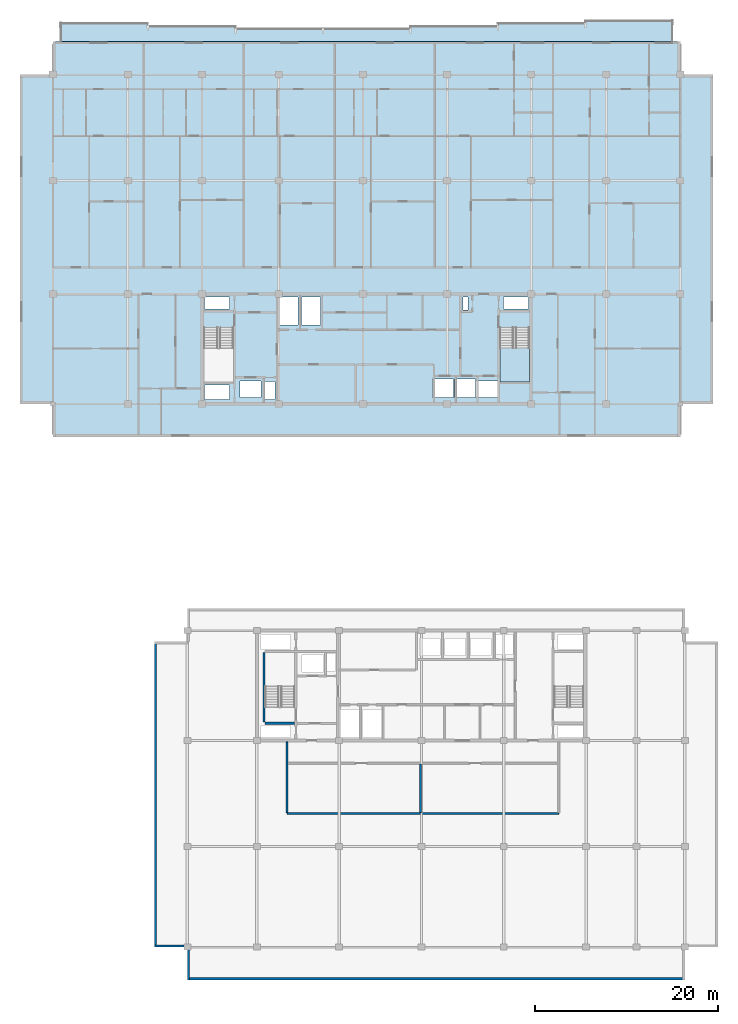
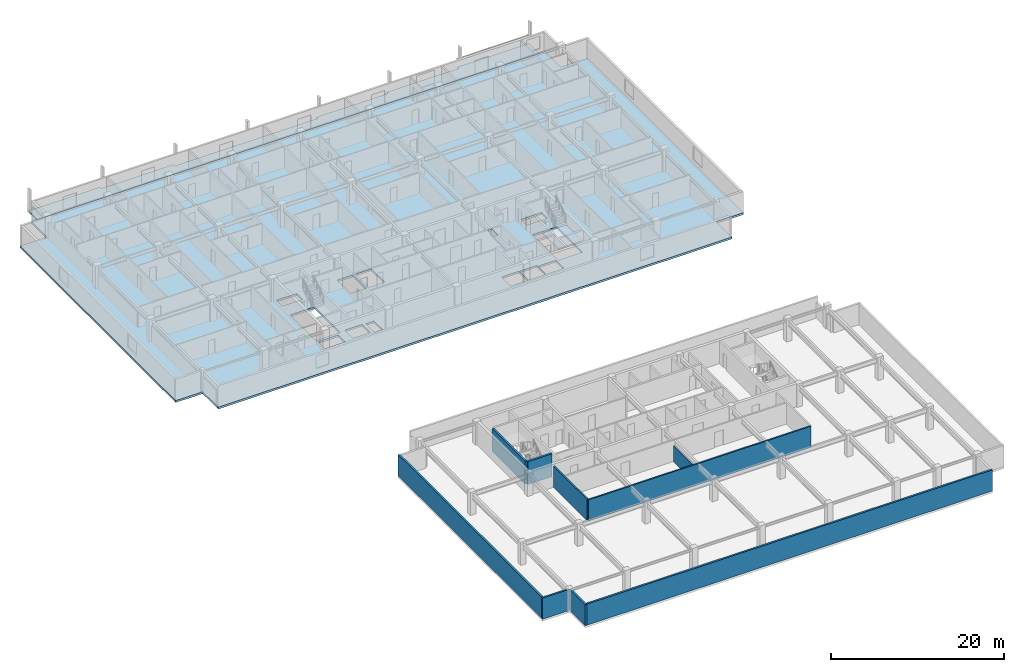
# One storey, part 3 of 17: 9 walls, 3 slabs, 1 element without a shape of its own.
"""IFC4 building model written with IfcOpenShell, lengths in metres."""

from ifc_helpers import new_model, si_unit, direction, frame, frame_2d, origin, place, context, subcontext, project, spatial, polyline, rectangle, outline, extrude, material, layer, layer_set, type_object, element, aggregate, save


model = new_model("IFC4")

# Units and contexts
model_context = context("Model", 3, precision=1e-05, world=origin(), true_north=direction((0.0, 1.0)))
body_context = subcontext(model_context, "Body", "Model", "MODEL_VIEW")
ifc_project = project(units=[si_unit("LENGTHUNIT", "METRE"), si_unit("AREAUNIT", "SQUARE_METRE"), si_unit("VOLUMEUNIT", "CUBIC_METRE"), si_unit("PLANEANGLEUNIT", "RADIAN"), si_unit("MASSUNIT", "GRAM", prefix="KILO")], contexts=[model_context])

# Site, building, storey
site_placement = place(None, origin())
site = spatial("IfcSite", under=ifc_project, at=site_placement, CompositionType="ELEMENT")
building_placement = place(site_placement, origin())
building = spatial("IfcBuilding", under=site, at=building_placement, Name="Korimba Cascade Residences", CompositionType="ELEMENT")
storey_placement = place(building_placement, frame((0.0, 0.0, 204.35009765625)))
storey = spatial("IfcBuildingStorey", under=building, at=storey_placement, Name="L59", CompositionType="ELEMENT", Elevation=204.35009765625)

# Stair, slab
ifc_material_1 = material(Name="Concrete C50/60", Category="concrete")
stair_type = type_object("IfcStairType", Name="STR-W2-18R-1806", PredefinedType="HALF_TURN_STAIR", material=ifc_material_1)
stair_placement = place(storey_placement, origin())
stair = element("IfcStair", 1, at=stair_placement, inside=storey, type_object=stair_type, Name="L59 Tower 1 East Fire Stair ST-W2", PredefinedType="HALF_TURN_STAIR")
ifc_layer_1 = layer(ifc_material_1, 0.199951171875)
ifc_layer_set_1 = layer_set([ifc_layer_1], Name="Concrete C50/60")
slab_type_1 = type_object("IfcSlabType", Name="SLB-LND-220", PredefinedType="LANDING", material=ifc_layer_set_1)
slab_1_placement = place(storey_placement, frame((0.0, 0.0, 1.4248046875)))
slab_1 = element("IfcSlab", 2, at=slab_1_placement, type_object=slab_type_1, Name="ST-W2 landing 1", PredefinedType="LANDING", context=body_context, shape_type="SweptSolid", body=[
    extrude(outline(polyline([(108.659912109375, 61.31005859375), (108.659912109375, 57.60009765625), (111.89990234375, 57.60009765625), (111.89990234375, 61.31005859375), (108.659912109375, 61.31005859375)])), origin(), (0.0, 0.0, 1.0), 0.2001953125),
])
aggregate(stair, [slab_1])

# Slabs
ifc_material_2 = material(Name="Precast concrete C40/50", Category="concrete")
ifc_layer_2 = layer(ifc_material_2, 0.239990234375)
ifc_layer_set_2 = layer_set([ifc_layer_2], Name="Precast concrete C40/50")
slab_type_2 = type_object("IfcSlabType", Name="SLB-LOG-240", PredefinedType="FLOOR", material=ifc_layer_set_2)
slab_2_placement = place(storey_placement, frame((0.0, 0.0, -0.239990234375)))
element("IfcSlab", 3, at=slab_2_placement, inside=storey, type_object=slab_type_2, Name="L59 Tower 1 North Loggia Slab", PredefinedType="FLOOR", context=body_context, shape_type="SweptSolid", body=[
    extrude(outline(polyline([(60.60009765625, 94.800048828125), (127.60009765625, 94.800048828125), (127.60009765625, 97.14990234375), (118.028564453125, 97.14990234375), (118.028564453125, 96.85009765625), (108.45703125, 96.85009765625), (108.45703125, 96.550048828125), (98.8857421875, 96.550048828125), (98.8857421875, 96.25), (79.742919921875, 96.25), (79.742919921875, 96.550048828125), (70.17138671875, 96.550048828125), (70.17138671875, 96.85009765625), (60.60009765625, 96.85009765625), (60.60009765625, 94.800048828125)])), origin(), (0.0, 0.0, 1.0), 0.239990234375),
])
ifc_layer_3 = layer(ifc_material_1, 0.280029296875)
ifc_layer_set_3 = layer_set([ifc_layer_3], Name="Concrete C50/60")
slab_type_3 = type_object("IfcSlabType", Name="SLB-TYP-280", PredefinedType="FLOOR", material=ifc_layer_set_3)
slab_3_placement = place(storey_placement, frame((0.0, 0.0, -0.280029296875)))
element("IfcSlab", 4, at=slab_3_placement, inside=storey, type_object=slab_type_3, Name="L59 Tower 1 Floor Slab", PredefinedType="FLOOR", context=body_context, shape_type="SweptSolid", body=[
    extrude(outline(polyline([(59.800048828125, 51.60009765625), (128.39990234375, 51.60009765625), (128.39990234375, 55.199951171875), (132.0, 55.199951171875), (132.0, 91.199951171875), (128.39990234375, 91.199951171875), (128.39990234375, 94.800048828125), (59.800048828125, 94.800048828125), (59.800048828125, 91.199951171875), (56.199951171875, 91.199951171875), (56.199951171875, 55.199951171875), (59.800048828125, 55.199951171875), (59.800048828125, 51.60009765625)]), holes=[polyline([(76.300048828125, 63.514892578125), (76.300048828125, 57.60009765625), (79.5400390625, 57.60009765625), (79.5400390625, 63.514892578125), (76.300048828125, 63.514892578125)]), polyline([(108.659912109375, 63.514892578125), (108.659912109375, 57.60009765625), (111.89990234375, 57.60009765625), (111.89990234375, 63.514892578125), (108.659912109375, 63.514892578125)]), polyline([(80.22998046875, 55.8798828125), (82.570068359375, 55.8798828125), (82.570068359375, 57.719970703125), (80.22998046875, 57.719970703125), (80.22998046875, 55.8798828125)]), polyline([(106.080078125, 55.8798828125), (108.419921875, 55.8798828125), (108.419921875, 57.719970703125), (106.080078125, 57.719970703125), (106.080078125, 55.8798828125)]), polyline([(101.304931640625, 55.8798828125), (103.594970703125, 55.8798828125), (103.594970703125, 57.919921875), (101.304931640625, 57.919921875), (101.304931640625, 55.8798828125)]), polyline([(103.705078125, 55.8798828125), (105.9951171875, 55.8798828125), (105.9951171875, 57.919921875), (103.705078125, 57.919921875), (103.705078125, 55.8798828125)]), polyline([(82.97998046875, 55.679931640625), (84.080078125, 55.679931640625), (84.080078125, 57.6201171875), (82.97998046875, 57.6201171875), (82.97998046875, 55.679931640625)]), polyline([(76.39990234375, 65.56005859375), (79.10009765625, 65.56005859375), (79.10009765625, 66.8798828125), (76.39990234375, 66.8798828125), (76.39990234375, 65.56005859375)]), polyline([(76.39990234375, 55.679931640625), (79.10009765625, 55.679931640625), (79.10009765625, 57.239990234375), (76.39990234375, 57.239990234375), (76.39990234375, 55.679931640625)]), polyline([(84.530029296875, 63.820068359375), (86.6201171875, 63.820068359375), (86.6201171875, 66.8798828125), (84.530029296875, 66.8798828125), (84.530029296875, 63.820068359375)]), polyline([(86.97998046875, 63.820068359375), (89.070068359375, 63.820068359375), (89.070068359375, 66.8798828125), (86.97998046875, 66.8798828125), (86.97998046875, 63.820068359375)]), polyline([(104.6201171875, 65.4599609375), (105.179931640625, 65.4599609375), (105.179931640625, 66.8798828125), (104.6201171875, 66.8798828125), (104.6201171875, 65.4599609375)]), polyline([(109.080078125, 65.56005859375), (111.800048828125, 65.56005859375), (111.800048828125, 66.8798828125), (109.080078125, 66.8798828125), (109.080078125, 65.56005859375)])]), origin(), (0.0, 0.0, 1.0), 0.280029296875),
])

# Walls
ifc_layer_4 = layer(ifc_material_2, 0.25)
ifc_layer_set_4 = layer_set([ifc_layer_4], Name="Precast concrete C40/50")
wall_type_1 = type_object("IfcWallType", Name="EW-PLNT-250", PredefinedType="SHEAR", material=ifc_layer_set_4)
wall_1_placement = place(storey_placement, frame((74.5, -7.675048828125, 0.0), z_axis=(0.0, 0.0, 1.0), x_axis=(1.0, 0.0, 0.0)))
element("IfcWall", 5, at=wall_1_placement, inside=storey, type_object=wall_type_1, Name="L59 T2 Perimeter Stone Wall E00", PredefinedType="SHEAR", context=body_context, shape_type="SweptSolid", body=[
    extrude(rectangle(XDim=54.39990234375, YDim=0.25, at=frame_2d((27.199951171875, 0.0))), origin(), (0.0, 0.0, 1.0), 2.97998046875),
])
wall_2_placement = place(storey_placement, frame((71.02490234375, 29.199951171875, 0.0), z_axis=(0.0, 0.0, 1.0), x_axis=(0.0, -1.0, 0.0)))
element("IfcWall", 6, at=wall_2_placement, inside=storey, type_object=wall_type_1, Name="L59 T2 Perimeter Stone Wall E09", PredefinedType="SHEAR", context=body_context, shape_type="SweptSolid", body=[
    extrude(rectangle(XDim=33.39990234375, YDim=0.25, at=frame_2d((16.699951171875, 0.0))), origin(), (0.0, 0.0, 1.0), 2.97998046875),
])
for number, where, z_axis, x_axis, name in (
    (7, (70.89990234375, -4.074951171875, 0.0), (0.0, 0.0, 1.0), (1.0, 0.0, 0.0), "L59 T2 Perimeter Stone Wall E10"),
    (8, (74.625, -4.199951171875, 0.0), (0.0, 0.0, 1.0), (0.0, -1.0, 0.0), "L59 T2 Perimeter Stone Wall E11"),
):
    element("IfcWall", number, at=place(storey_placement, frame(where, z_axis=z_axis, x_axis=x_axis)), inside=storey, type_object=wall_type_1, Name=name, PredefinedType="SHEAR", context=body_context, shape_type="SweptSolid", body=[
        extrude(rectangle(XDim=3.60009765625, YDim=0.25, at=frame_2d((1.800048828125, 0.0))), origin(), (0.0, 0.0, 1.0), 2.97998046875),
    ])
ifc_material_3 = material(Name="Concrete C40/50", Category="concrete")
ifc_layer_5 = layer(ifc_material_3, 0.199951171875)
ifc_layer_set_5 = layer_set([ifc_layer_5], Name="Concrete C40/50")
wall_type_2 = type_object("IfcWallType", Name="WAL-PART-200", PredefinedType="PARTITIONING", material=ifc_layer_set_5)
wall_3_placement = place(storey_placement, frame((85.39990234375, 10.39990234375, 0.0), z_axis=(0.0, 0.0, 1.0), x_axis=(1.0, 0.0, 0.0)))
element("IfcWall", 9, at=wall_3_placement, inside=storey, type_object=wall_type_2, Name="L59 Partition Wall WAL-L59-T2-PS2", PredefinedType="PARTITIONING", context=body_context, shape_type="SweptSolid", body=[
    extrude(rectangle(XDim=29.7001953125, YDim=0.199951171875, at=frame_2d((14.85009765625, 0.0))), origin(), (0.0, 0.0, 1.0), 2.97998046875),
])
wall_4_placement = place(storey_placement, frame((85.39990234375, 10.5, 0.0), z_axis=(0.0, 0.0, 1.0), x_axis=(0.0, 1.0, 0.0)))
element("IfcWall", 10, at=wall_4_placement, inside=storey, type_object=wall_type_2, Name="L59 Partition Wall WAL-L59-T2-PW", PredefinedType="PARTITIONING", context=body_context, shape_type="SweptSolid", body=[
    extrude(rectangle(XDim=7.75, YDim=0.199951171875, at=frame_2d((3.875, 0.0))), origin(), (0.0, 0.0, 1.0), 2.97998046875),
])
wall_5_placement = place(storey_placement, frame((100.0, 10.5, 0.0), z_axis=(0.0, 0.0, 1.0), x_axis=(0.0, 1.0, 0.0)))
element("IfcWall", 11, at=wall_5_placement, inside=storey, type_object=wall_type_2, Name="L59 Partition Wall WAL-L59-T2-PM", PredefinedType="PARTITIONING", context=body_context, shape_type="SweptSolid", body=[
    extrude(rectangle(XDim=5.300048828125, YDim=0.199951171875, at=frame_2d((2.64990234375, 0.0))), origin(), (0.0, 0.0, 1.0), 2.210205078125),
])
ifc_layer_6 = layer(ifc_material_1, 0.25)
ifc_layer_set_6 = layer_set([ifc_layer_6], Name="Concrete C50/60")
wall_type_3 = type_object("IfcWallType", Name="WAL-SHAFT-250", PredefinedType="SHEAR", material=ifc_layer_set_6)
wall_6_placement = place(storey_placement, frame((82.875, 20.39990234375, 0.0), z_axis=(0.0, 0.0, 1.0), x_axis=(0.0, 1.0, 0.0)))
element("IfcWall", 12, at=wall_6_placement, inside=storey, type_object=wall_type_3, Name="L59 Core Shear Wall CW-L59-T2-STE1W", PredefinedType="SHEAR", context=body_context, shape_type="SweptSolid", body=[
    extrude(rectangle(XDim=7.60009765625, YDim=0.25, at=frame_2d((3.800048828125, 0.0))), origin(), (0.0, 0.0, 1.0), 3.25),
])
wall_7_placement = place(storey_placement, frame((83.0, 20.27490234375, 0.0), z_axis=(0.0, 0.0, 1.0), x_axis=(1.0, 0.0, 0.0)))
element("IfcWall", 13, at=wall_7_placement, inside=storey, type_object=wall_type_3, Name="L59 Core Shear Wall CW-L59-T2-STE1S", PredefinedType="SHEAR", context=body_context, shape_type="SweptSolid", body=[
    extrude(rectangle(XDim=3.239990234375, YDim=0.25, at=frame_2d((1.6201171875, 0.0))), origin(), (0.0, 0.0, 1.0), 3.25),
])

save(model, "model.ifc")
